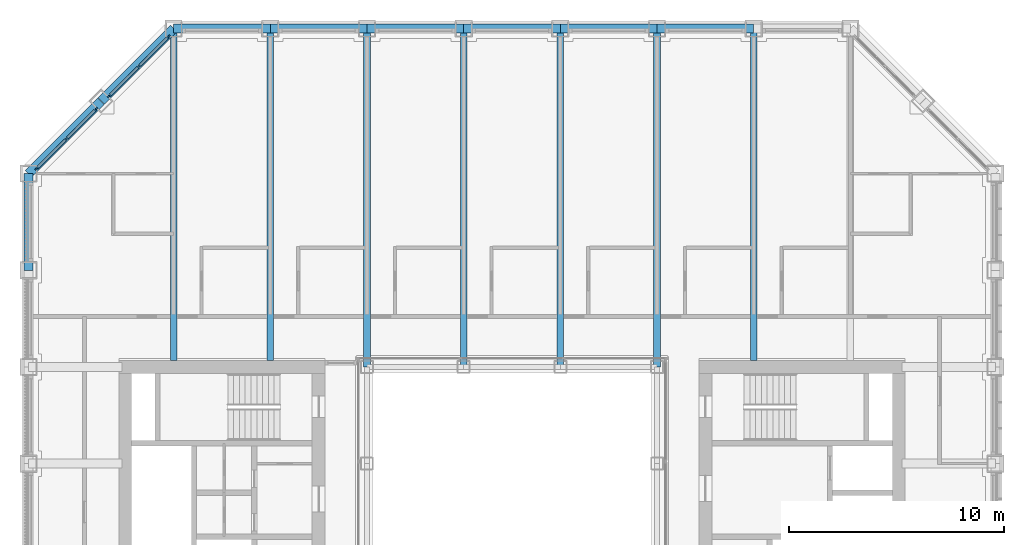
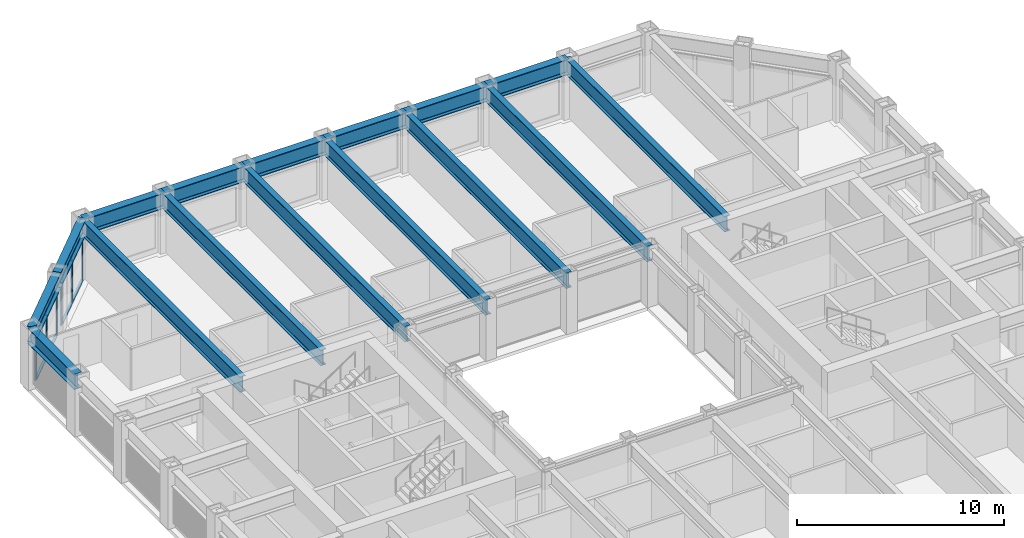
# One storey, part 7 of 18: 16 beams, 14 members, 2 elements without a shape of their own.
"""IFC4 building model written with IfcOpenShell, lengths in metres."""

import ifcopenshell
import ifcopenshell.guid

model = None  # the IFC model being written
_history = None  # IfcOwnerHistory: only IFC2X3 demands one
_inside = {}  # id of a spatial element -> (the spatial element, [elements in it])
_under = {}  # id of a project, library or spatial element -> (it, [spatial elements below it])
_declared = {}  # id of a project -> (the project, [libraries it declares])
_typed = {}  # id of a type object -> (the type object, [elements of that type])
_made_of = {}  # id of a material, layer set ... -> (it, [elements and type objects made of it])


def new_model(schema):
    """Start an empty IFC model of exactly this schema.

    Asked for "IFC4X3", IfcOpenShell would pick the latest addendum, in which some entities
    have other attributes; the version numbers below select the first issue.
    IFC2X3 requires an IfcOwnerHistory on every rooted entity: one is made here for all.
    """
    global model, _history
    if schema == "IFC4X3":
        model = ifcopenshell.file(schema_version=(4, 3, 0, 0))
    else:
        model = ifcopenshell.file(schema=schema)
    _inside.clear()
    _under.clear()
    _declared.clear()
    _typed.clear()
    _made_of.clear()
    _history = None
    if model.schema == "IFC2X3":
        org = make("IfcOrganization", Name="unknown")
        user = make(
            "IfcPersonAndOrganization",
            ThePerson=make("IfcPerson", FamilyName="unknown"),
            TheOrganization=org,
        )
        app = make(
            "IfcApplication",
            ApplicationDeveloper=org,
            Version="unknown",
            ApplicationFullName="unknown",
            ApplicationIdentifier="unknown",
        )
        _history = make(
            "IfcOwnerHistory",
            OwningUser=user,
            OwningApplication=app,
            ChangeAction="ADDED",
            CreationDate=0,
        )
    return model


def make(cls, **values):
    """One entity of the class cls with the attributes given. An attribute that is None is left unset."""
    return model.create_entity(
        cls, **{name: value for name, value in values.items() if value is not None}
    )


def rooted(cls, **values):
    """An entity with a GlobalId (a new one), such as an element, a storey or a relation."""
    return make(cls, GlobalId=ifcopenshell.guid.new(), OwnerHistory=_history, **values)


def si_unit(unit_type, name, prefix=None):
    """IfcSIUnit, for example si_unit("LENGTHUNIT", "METRE", prefix="MILLI")."""
    return make("IfcSIUnit", UnitType=unit_type, Prefix=prefix, Name=name)


def assignment(units):
    """IfcUnitAssignment: the units of a project."""
    return None if units is None else make("IfcUnitAssignment", Units=units)


def point(xyz):
    """IfcCartesianPoint."""
    return None if xyz is None else make("IfcCartesianPoint", Coordinates=xyz)


def direction(xyz):
    """IfcDirection."""
    return None if xyz is None else make("IfcDirection", DirectionRatios=xyz)


def frame(location, z_axis=None, x_axis=None):
    """IfcAxis2Placement3D, a coordinate frame: its origin and axes. An axis left out is left unset."""
    return make(
        "IfcAxis2Placement3D",
        Location=point(location),
        Axis=direction(z_axis),
        RefDirection=direction(x_axis),
    )


def frame_2d(location, x_axis=None):
    """IfcAxis2Placement2D, a coordinate frame in the plane: its origin and x axis."""
    return make(
        "IfcAxis2Placement2D", Location=point(location), RefDirection=direction(x_axis)
    )


def origin():
    """The frame at (0, 0, 0) with its axes left unset."""
    return frame((0.0, 0.0, 0.0))


def origin_2d():
    """The frame at (0, 0) in the plane with its x axis left unset."""
    return frame_2d((0.0, 0.0))


def place(relative_to, where):
    """IfcLocalPlacement: puts the frame where relative to a parent placement (None: the world)."""
    return make(
        "IfcLocalPlacement", PlacementRelTo=relative_to, RelativePlacement=where
    )


def context(
    kind, dimensions, precision=None, world=None, true_north=None, identifier=None
):
    """IfcGeometricRepresentationContext, for example the 3D "Model" context."""
    return make(
        "IfcGeometricRepresentationContext",
        ContextIdentifier=identifier,
        ContextType=kind,
        CoordinateSpaceDimension=dimensions,
        Precision=precision,
        WorldCoordinateSystem=world,
        TrueNorth=true_north,
    )


def subcontext(parent, identifier, kind, view, scale=None):
    """IfcGeometricRepresentationSubContext, for example "Body" below "Model"."""
    return make(
        "IfcGeometricRepresentationSubContext",
        ContextIdentifier=identifier,
        ContextType=kind,
        ParentContext=parent,
        TargetScale=scale,
        TargetView=view,
    )


def project(units=None, contexts=None):
    """IfcProject with its units and contexts."""
    return rooted(
        "IfcProject",
        Name="project",
        RepresentationContexts=contexts,
        UnitsInContext=assignment(units),
    )


def spatial(cls, under=None, at=None, **own):
    """A site, building, storey or space (cls), placed at a placement, below another one or the project."""
    s = rooted(cls, ObjectPlacement=at, **own)
    if under is not None:
        _under.setdefault(under.id(), (under, []))[1].append(s)
    return s


def profile(cls, at=None, kind="AREA", **sizes):
    """A parametric profile (cls). Its sizes go by their IFC names, for example OverallWidth=200.0."""
    return make(cls, ProfileType=kind, Position=at, **sizes)


def rectangle(**sizes):
    """IfcRectangleProfileDef."""
    return profile("IfcRectangleProfileDef", **sizes)


def i_section(**sizes):
    """IfcIShapeProfileDef."""
    return profile("IfcIShapeProfileDef", **sizes)


def extrude(swept, where, along, depth):
    """IfcExtrudedAreaSolid: the profile swept, set in the frame where, extruded along a direction by depth."""
    return make(
        "IfcExtrudedAreaSolid",
        SweptArea=swept,
        Position=where,
        ExtrudedDirection=direction(along),
        Depth=depth,
    )


def shape(context_of_items, identifier, shape_type, items):
    """IfcShapeRepresentation: the items that make up one representation, for example the "Body"."""
    return make(
        "IfcShapeRepresentation",
        ContextOfItems=context_of_items,
        RepresentationIdentifier=identifier,
        RepresentationType=shape_type,
        Items=items,
    )


def material(Name=None, Category=None):
    """IfcMaterial."""
    return make("IfcMaterial", Name=Name, Category=Category)


def material_profile(
    of_material, cross_section, Name=None, Category=None, Priority=None
):
    """IfcMaterialProfile: a cross section and its material."""
    return make(
        "IfcMaterialProfile",
        Name=Name,
        Material=of_material,
        Profile=cross_section,
        Priority=Priority,
        Category=Category,
    )


def profile_set(profiles, Name=None, composite=None):
    """IfcMaterialProfileSet."""
    return make(
        "IfcMaterialProfileSet",
        Name=Name,
        MaterialProfiles=profiles,
        CompositeProfile=composite,
    )


def made_of(thing, what):
    """Note that an element or type object is made of a material, layer set ...; save() writes the relation."""
    if what is not None:
        _made_of.setdefault(what.id(), (what, []))[1].append(thing)
    return thing


def type_object(cls, material=None, **own):
    """A type object (cls), such as IfcWallType, which elements share."""
    return made_of(rooted(cls, **own), material)


def element(
    cls,
    number,
    at=None,
    inside=None,
    cuts=None,
    type_object=None,
    material=None,
    context=None,
    identifier="Body",
    shape_type=None,
    held_by="IfcProductDefinitionShape",
    body=None,
    shapes=None,
    **own,
):
    """One element of the class cls, such as IfcWall. Its Tag is "e" and its number.

    at: its placement. inside: the storey or other place that contains it. cuts: it is an
    opening in that element (IfcRelVoidsElement). A single representation is given by context,
    identifier, shape_type and body (its items); several are given by shapes. held_by: the class
    of the entity that holds the representations. save() writes the other relations.
    """
    e = rooted(cls, Tag="e%d" % number, ObjectPlacement=at, **own)
    if body is not None:
        shapes = [shape(context, identifier, shape_type, body)]
    if shapes is not None:
        e.Representation = make(held_by, Representations=shapes)
    if inside is not None:
        _inside.setdefault(inside.id(), (inside, []))[1].append(e)
    if cuts is not None:
        rooted(
            "IfcRelVoidsElement", RelatingBuildingElement=cuts, RelatedOpeningElement=e
        )
    if type_object is not None:
        _typed.setdefault(type_object.id(), (type_object, []))[1].append(e)
    return made_of(e, material)


def aggregate(whole, parts):
    """IfcRelAggregates: a whole, such as a stair, and the parts it consists of."""
    return rooted("IfcRelAggregates", RelatingObject=whole, RelatedObjects=parts)


def save(model, path):
    """Write the relations noted so far, then the file.

    IfcRelAggregates (storeys below a building ...), IfcRelContainedInSpatialStructure (elements
    in a storey), IfcRelDefinesByType, IfcRelAssociatesMaterial and IfcRelDeclares: one each for
    every whole, place, type object, material and project.
    """
    for whole, parts in _under.values():
        aggregate(whole, parts)
    for where, things in _inside.values():
        rooted(
            "IfcRelContainedInSpatialStructure",
            RelatedElements=things,
            RelatingStructure=where,
        )
    for kind, things in _typed.values():
        rooted("IfcRelDefinesByType", RelatedObjects=things, RelatingType=kind)
    for what, things in _made_of.values():
        rooted("IfcRelAssociatesMaterial", RelatedObjects=things, RelatingMaterial=what)
    for by, libraries in _declared.values():
        rooted("IfcRelDeclares", RelatingContext=by, RelatedDefinitions=libraries)
    model.write(path)


model = new_model("IFC4")

# Units and contexts
model_context = context("Model", 3, precision=1e-05, world=origin(), true_north=direction((0.0, 1.0)))
body_context = subcontext(model_context, "Body", "Model", "MODEL_VIEW")
ifc_project = project(units=[si_unit("LENGTHUNIT", "METRE"), si_unit("AREAUNIT", "SQUARE_METRE"), si_unit("VOLUMEUNIT", "CUBIC_METRE"), si_unit("PLANEANGLEUNIT", "RADIAN"), si_unit("MASSUNIT", "GRAM", prefix="KILO")], contexts=[model_context])

# Site, building, storey
site_placement = place(None, origin())
site = spatial("IfcSite", under=ifc_project, at=site_placement, CompositionType="ELEMENT")
building_placement = place(site_placement, origin())
building = spatial("IfcBuilding", under=site, at=building_placement, Name="Msasa Ring Tower", CompositionType="ELEMENT")
storey_placement = place(building_placement, frame((0.0, 0.0, 118.39990234375)))
storey = spatial("IfcBuildingStorey", under=building, at=storey_placement, Name="L30", CompositionType="ELEMENT", Elevation=118.39990234375)

# Curtain wall, members
ifc_material_1 = material(Name="Aluminium curtain wall with clear glass", Category="aluminium")
curtain_wall_type = type_object("IfcCurtainWallType", Name="CW-C CHAMFER CORNER CURTAIN WALL", PredefinedType="NOTDEFINED", material=ifc_material_1)
curtain_wall_1_placement = place(storey_placement, origin())
curtain_wall_1 = element("IfcCurtainWall", 1, at=curtain_wall_1_placement, inside=storey, type_object=curtain_wall_type, Name="Chamfer corner curtain wall NW L30", PredefinedType="NOTDEFINED")
ifc_material_2 = material(Name="Aluminium mullion", Category="aluminium")
ifc_material_profile_1 = material_profile(ifc_material_2, rectangle(XDim=0.06494140625, YDim=0.179931640625, at=origin_2d()), Name="AL 65x180")
ifc_profile_set_1 = profile_set([ifc_material_profile_1], Name="Aluminium mullion")
member_type_1 = type_object("IfcMemberType", Name="CW-C MULLION 65x180", PredefinedType="MULLION", material=ifc_profile_set_1)
member_1_placement = place(storey_placement, frame((-19.36376953125, 18.744873046875, 0.0), z_axis=(0.0, 0.0, 1.0), x_axis=(0.707106781187, -0.707106781187, 0.0)))
member_1 = element("IfcMember", 2, at=member_1_placement, type_object=member_type_1, Name="CW-C mullion 1", PredefinedType="MULLION", context=body_context, shape_type="SweptSolid", body=[
    extrude(rectangle(XDim=0.06494140625, YDim=0.179931640625, at=origin_2d()), origin(), (0.0, 0.0, 1.0), 2.47900390625),
])
member_2_placement = place(storey_placement, frame((-20.74169921875, 17.36669921875, 0.0), z_axis=(0.0, 0.0, 1.0), x_axis=(0.707106781187, -0.707106781187, 0.0)))
member_2 = element("IfcMember", 3, at=member_2_placement, type_object=member_type_1, Name="CW-C mullion 2", PredefinedType="MULLION", context=body_context, shape_type="SweptSolid", body=[
    extrude(rectangle(XDim=0.06494140625, YDim=0.179931640625, at=origin_2d()), origin(), (0.0, 0.0, 1.0), 2.47900390625),
])
member_3_placement = place(storey_placement, frame((-22.119873046875, 15.98876953125, 0.0), z_axis=(0.0, 0.0, 1.0), x_axis=(0.707106781187, -0.707106781187, 0.0)))
member_3 = element("IfcMember", 4, at=member_3_placement, type_object=member_type_1, Name="CW-C mullion 3", PredefinedType="MULLION", context=body_context, shape_type="SweptSolid", body=[
    extrude(rectangle(XDim=0.06494140625, YDim=0.179931640625, at=origin_2d()), origin(), (0.0, 0.0, 1.0), 2.47900390625),
])

curtain_wall_2_placement = place(storey_placement, origin())
curtain_wall_2 = element("IfcCurtainWall", 5, at=curtain_wall_2_placement, inside=storey, type_object=curtain_wall_type, Name="Chamfer corner curtain wall NW L30", PredefinedType="NOTDEFINED")
member_4_placement = place(storey_placement, frame((-15.98876953125, 22.119873046875, 0.0), z_axis=(0.0, 0.0, 1.0), x_axis=(0.707106781187, -0.707106781187, 0.0)))
member_4 = element("IfcMember", 6, at=member_4_placement, type_object=member_type_1, Name="CW-C mullion 1", PredefinedType="MULLION", context=body_context, shape_type="SweptSolid", body=[
    extrude(rectangle(XDim=0.06494140625, YDim=0.179931640625, at=origin_2d()), origin(), (0.0, 0.0, 1.0), 2.47900390625),
])
member_5_placement = place(storey_placement, frame((-17.36669921875, 20.74169921875, 0.0), z_axis=(0.0, 0.0, 1.0), x_axis=(0.707106781187, -0.707106781187, 0.0)))
member_5 = element("IfcMember", 7, at=member_5_placement, type_object=member_type_1, Name="CW-C mullion 2", PredefinedType="MULLION", context=body_context, shape_type="SweptSolid", body=[
    extrude(rectangle(XDim=0.06494140625, YDim=0.179931640625, at=origin_2d()), origin(), (0.0, 0.0, 1.0), 2.47900390625),
])
member_6_placement = place(storey_placement, frame((-18.744873046875, 19.36376953125, 0.0), z_axis=(0.0, 0.0, 1.0), x_axis=(0.707106781187, -0.707106781187, 0.0)))
member_6 = element("IfcMember", 8, at=member_6_placement, type_object=member_type_1, Name="CW-C mullion 3", PredefinedType="MULLION", context=body_context, shape_type="SweptSolid", body=[
    extrude(rectangle(XDim=0.06494140625, YDim=0.179931640625, at=origin_2d()), origin(), (0.0, 0.0, 1.0), 2.47900390625),
])

# Member
ifc_material_3 = material(Name="Aluminium transom", Category="aluminium")
ifc_material_profile_2 = material_profile(ifc_material_3, rectangle(XDim=0.139892578125, YDim=0.06494140625, at=origin_2d()), Name="AL 65x140")
ifc_profile_set_2 = profile_set([ifc_material_profile_2], Name="Aluminium transom")
member_type_2 = type_object("IfcMemberType", Name="CW-C TRANSOM 65x140", PredefinedType="USERDEFINED", material=ifc_profile_set_2)
member_7_placement = place(storey_placement, frame((-19.38671875, 18.721923828125, 0.03271484375), z_axis=(-0.707106781187, -0.707106781187, 0.0), x_axis=(0.707106781187, -0.707106781187, 0.0)))
member_7 = element("IfcMember", 9, at=member_7_placement, type_object=member_type_2, Name="CW-C transom 1.1", ObjectType="TRANSOM", PredefinedType="USERDEFINED", context=body_context, shape_type="SweptSolid", body=[
    extrude(rectangle(XDim=0.139892578125, YDim=0.06494140625, at=origin_2d()), origin(), (0.0, 0.0, 1.0), 1.8837890625),
])

member_8_placement = place(storey_placement, frame((-19.38671875, 18.721923828125, 2.446533203125), z_axis=(-0.707106781187, -0.707106781187, 0.0), x_axis=(0.707106781187, -0.707106781187, 0.0)))
member_8 = element("IfcMember", 10, at=member_8_placement, type_object=member_type_2, Name="CW-C transom 1.2", ObjectType="TRANSOM", PredefinedType="USERDEFINED", context=body_context, shape_type="SweptSolid", body=[
    extrude(rectangle(XDim=0.139892578125, YDim=0.06494140625, at=origin_2d()), origin(), (0.0, 0.0, 1.0), 1.8837890625),
])

member_9_placement = place(storey_placement, frame((-20.764892578125, 17.34375, 0.03271484375), z_axis=(-0.707106781187, -0.707106781187, 0.0), x_axis=(0.707106781187, -0.707106781187, 0.0)))
member_9 = element("IfcMember", 11, at=member_9_placement, type_object=member_type_2, Name="CW-C transom 2.1", ObjectType="TRANSOM", PredefinedType="USERDEFINED", context=body_context, shape_type="SweptSolid", body=[
    extrude(rectangle(XDim=0.139892578125, YDim=0.06494140625, at=origin_2d()), origin(), (0.0, 0.0, 1.0), 1.8837890625),
])

member_10_placement = place(storey_placement, frame((-20.764892578125, 17.34375, 2.446533203125), z_axis=(-0.707106781187, -0.707106781187, 0.0), x_axis=(0.707106781187, -0.707106781187, 0.0)))
member_10 = element("IfcMember", 12, at=member_10_placement, type_object=member_type_2, Name="CW-C transom 2.2", ObjectType="TRANSOM", PredefinedType="USERDEFINED", context=body_context, shape_type="SweptSolid", body=[
    extrude(rectangle(XDim=0.139892578125, YDim=0.06494140625, at=origin_2d()), origin(), (0.0, 0.0, 1.0), 1.8837890625),
])

aggregate(curtain_wall_1, [member_1, member_2, member_3, member_7, member_8, member_9, member_10])

member_11_placement = place(storey_placement, frame((-16.01171875, 22.096923828125, 0.03271484375), z_axis=(-0.707106781187, -0.707106781187, 0.0), x_axis=(0.707106781187, -0.707106781187, 0.0)))
member_11 = element("IfcMember", 13, at=member_11_placement, type_object=member_type_2, Name="CW-C transom 1.1", ObjectType="TRANSOM", PredefinedType="USERDEFINED", context=body_context, shape_type="SweptSolid", body=[
    extrude(rectangle(XDim=0.139892578125, YDim=0.06494140625, at=origin_2d()), origin(), (0.0, 0.0, 1.0), 1.8837890625),
])

member_12_placement = place(storey_placement, frame((-16.01171875, 22.096923828125, 2.446533203125), z_axis=(-0.707106781187, -0.707106781187, 0.0), x_axis=(0.707106781187, -0.707106781187, 0.0)))
member_12 = element("IfcMember", 14, at=member_12_placement, type_object=member_type_2, Name="CW-C transom 1.2", ObjectType="TRANSOM", PredefinedType="USERDEFINED", context=body_context, shape_type="SweptSolid", body=[
    extrude(rectangle(XDim=0.139892578125, YDim=0.06494140625, at=origin_2d()), origin(), (0.0, 0.0, 1.0), 1.8837890625),
])

member_13_placement = place(storey_placement, frame((-17.389892578125, 20.71875, 0.03271484375), z_axis=(-0.707106781187, -0.707106781187, 0.0), x_axis=(0.707106781187, -0.707106781187, 0.0)))
member_13 = element("IfcMember", 15, at=member_13_placement, type_object=member_type_2, Name="CW-C transom 2.1", ObjectType="TRANSOM", PredefinedType="USERDEFINED", context=body_context, shape_type="SweptSolid", body=[
    extrude(rectangle(XDim=0.139892578125, YDim=0.06494140625, at=origin_2d()), origin(), (0.0, 0.0, 1.0), 1.8837890625),
])

member_14_placement = place(storey_placement, frame((-17.389892578125, 20.71875, 2.446533203125), z_axis=(-0.707106781187, -0.707106781187, 0.0), x_axis=(0.707106781187, -0.707106781187, 0.0)))
member_14 = element("IfcMember", 16, at=member_14_placement, type_object=member_type_2, Name="CW-C transom 2.2", ObjectType="TRANSOM", PredefinedType="USERDEFINED", context=body_context, shape_type="SweptSolid", body=[
    extrude(rectangle(XDim=0.139892578125, YDim=0.06494140625, at=origin_2d()), origin(), (0.0, 0.0, 1.0), 1.8837890625),
])

aggregate(curtain_wall_2, [member_4, member_5, member_6, member_11, member_12, member_13, member_14])

# Beams
ifc_material_4 = material(Name="Steel S355", Category="steel")
ifc_material_profile_3 = material_profile(ifc_material_4, i_section(OverallWidth=0.3076171875, OverallDepth=0.926513671875, WebThickness=0.01953125, FlangeThickness=0.031982421875, FilletRadius=0.01904296875, at=origin_2d()), Name="UB 914x305x289")
ifc_profile_set_3 = profile_set([ifc_material_profile_3], Name="Steel S355")
beam_type_1 = type_object("IfcBeamType", Name="FB3 UB 914x305x289", PredefinedType="BEAM", material=ifc_profile_set_3)
for number, where, z_axis, x_axis, name in (
    (17, (-15.75, 22.5, 2.936767578125), (0.0, -1.0, 0.0), (1.0, 0.0, 0.0), "Floor beam N-15.75 under L31"),
    (18, (-11.25, 22.5, 2.936767578125), (0.0, -1.0, 0.0), (1.0, 0.0, 0.0), "Floor beam N-11.25 under L31"),
):
    element("IfcBeam", number, at=place(storey_placement, frame(where, z_axis=z_axis, x_axis=x_axis)), inside=storey, type_object=beam_type_1, Name=name, PredefinedType="BEAM", context=body_context, shape_type="SweptSolid", body=[
        extrude(i_section(OverallWidth=0.3076171875, OverallDepth=0.926513671875, WebThickness=0.01953125, FlangeThickness=0.031982421875, FilletRadius=0.01904296875, at=origin_2d()), origin(), (0.0, 0.0, 1.0), 15.449951171875),
    ])
for number, where, z_axis, x_axis, name in (
    (19, (-6.75, 22.5, 2.936767578125), (0.0, -1.0, 0.0), (1.0, 0.0, 0.0), "Floor beam N-6.75 under L31"),
    (20, (-2.25, 22.5, 2.936767578125), (0.0, -1.0, 0.0), (1.0, 0.0, 0.0), "Floor beam N-2.25 under L31"),
    (21, (2.25, 22.5, 2.936767578125), (0.0, -1.0, 0.0), (1.0, 0.0, 0.0), "Floor beam N+2.25 under L31"),
    (22, (6.75, 22.5, 2.936767578125), (0.0, -1.0, 0.0), (1.0, 0.0, 0.0), "Floor beam N+6.75 under L31"),
):
    element("IfcBeam", number, at=place(storey_placement, frame(where, z_axis=z_axis, x_axis=x_axis)), inside=storey, type_object=beam_type_1, Name=name, PredefinedType="BEAM", context=body_context, shape_type="SweptSolid", body=[
        extrude(i_section(OverallWidth=0.3076171875, OverallDepth=0.926513671875, WebThickness=0.01953125, FlangeThickness=0.031982421875, FilletRadius=0.01904296875, at=origin_2d()), origin(), (0.0, 0.0, 1.0), 15.75),
    ])
beam_1_placement = place(storey_placement, frame((11.25, 22.5, 2.936767578125), z_axis=(0.0, -1.0, 0.0), x_axis=(1.0, 0.0, 0.0)))
element("IfcBeam", 23, at=beam_1_placement, inside=storey, type_object=beam_type_1, Name="Floor beam N+11.25 under L31", PredefinedType="BEAM", context=body_context, shape_type="SweptSolid", body=[
    extrude(i_section(OverallWidth=0.3076171875, OverallDepth=0.926513671875, WebThickness=0.01953125, FlangeThickness=0.031982421875, FilletRadius=0.01904296875, at=origin_2d()), origin(), (0.0, 0.0, 1.0), 15.449951171875),
])
ifc_material_5 = material(Name="Steel S355", Category="steel")
ifc_material_profile_4 = material_profile(ifc_material_5, i_section(OverallWidth=0.42041015625, OverallDepth=0.9208984375, WebThickness=0.021484375, FlangeThickness=0.03662109375, FilletRadius=0.024169921875, at=origin_2d()), Name="UB 914x419x388")
ifc_profile_set_4 = profile_set([ifc_material_profile_4], Name="Steel S355")
beam_type_2 = type_object("IfcBeamType", Name="SB1 UB 914x419x388", PredefinedType="SPANDREL", material=ifc_profile_set_4)
for number, where, z_axis, x_axis, name in (
    (24, (11.25, 22.5, 2.939697265625), (-1.0, 0.0, 0.0), (0.0, -1.0, 0.0), "Spandrel N+11.25 to N+6.75 under L31"),
    (25, (6.75, 22.5, 2.939697265625), (-1.0, 0.0, 0.0), (0.0, -1.0, 0.0), "Spandrel N+6.75 to N+2.25 under L31"),
    (26, (2.25, 22.5, 2.939697265625), (-1.0, 0.0, 0.0), (0.0, -1.0, 0.0), "Spandrel N+2.25 to N-2.25 under L31"),
    (27, (-2.25, 22.5, 2.939697265625), (-1.0, 0.0, 0.0), (0.0, -1.0, 0.0), "Spandrel N-2.25 to N-6.75 under L31"),
    (28, (-6.75, 22.5, 2.939697265625), (-1.0, 0.0, 0.0), (0.0, -1.0, 0.0), "Spandrel N-6.75 to N-11.25 under L31"),
    (29, (-11.25, 22.5, 2.939697265625), (-1.0, 0.0, 0.0), (0.0, -1.0, 0.0), "Spandrel N-11.25 to N-15.75 under L31"),
):
    element("IfcBeam", number, at=place(storey_placement, frame(where, z_axis=z_axis, x_axis=x_axis)), inside=storey, type_object=beam_type_2, Name=name, PredefinedType="SPANDREL", context=body_context, shape_type="SweptSolid", body=[
        extrude(i_section(OverallWidth=0.42041015625, OverallDepth=0.9208984375, WebThickness=0.021484375, FlangeThickness=0.03662109375, FilletRadius=0.024169921875, at=origin_2d()), origin(), (0.0, 0.0, 1.0), 4.5),
    ])
for number, where, z_axis, x_axis, name in (
    (30, (-15.75, 22.5, 2.939697265625), (-0.707106781187, -0.707106781187, 0.0), (0.707106781187, -0.707106781187, 0.0), "Spandrel N-15.75 to NW under L31"),
    (31, (-19.125, 19.125, 2.939697265625), (-0.707106781187, -0.707106781187, 0.0), (0.707106781187, -0.707106781187, 0.0), "Spandrel NW to W+15.75 under L31"),
):
    element("IfcBeam", number, at=place(storey_placement, frame(where, z_axis=z_axis, x_axis=x_axis)), inside=storey, type_object=beam_type_2, Name=name, PredefinedType="SPANDREL", context=body_context, shape_type="SweptSolid", body=[
        extrude(i_section(OverallWidth=0.42041015625, OverallDepth=0.9208984375, WebThickness=0.021484375, FlangeThickness=0.03662109375, FilletRadius=0.024169921875, at=origin_2d()), origin(), (0.0, 0.0, 1.0), 4.77294921875),
    ])
beam_2_placement = place(storey_placement, frame((-22.5, 15.75, 2.939697265625), z_axis=(0.0, -1.0, 0.0), x_axis=(1.0, 0.0, 0.0)))
element("IfcBeam", 32, at=beam_2_placement, inside=storey, type_object=beam_type_2, Name="Spandrel W+15.75 to W+11.25 under L31", PredefinedType="SPANDREL", context=body_context, shape_type="SweptSolid", body=[
    extrude(i_section(OverallWidth=0.42041015625, OverallDepth=0.9208984375, WebThickness=0.021484375, FlangeThickness=0.03662109375, FilletRadius=0.024169921875, at=origin_2d()), origin(), (0.0, 0.0, 1.0), 4.5),
])

save(model, "model.ifc")
